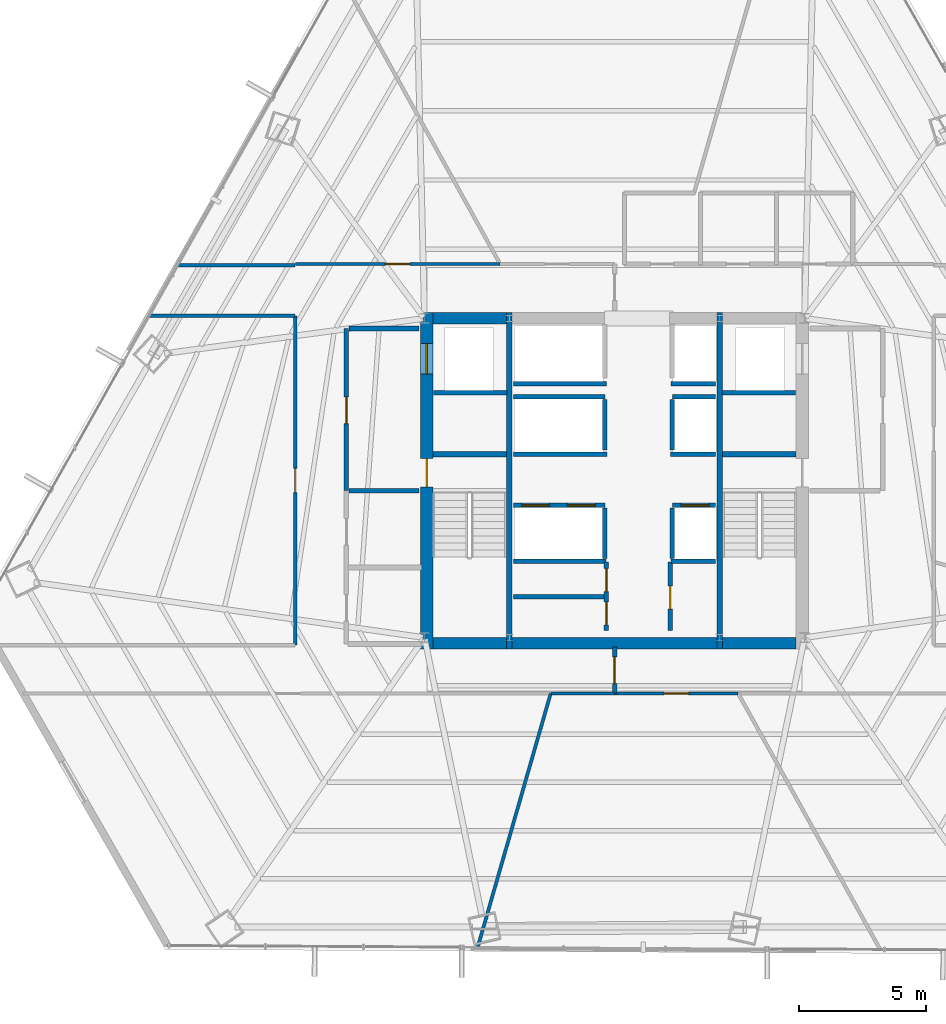
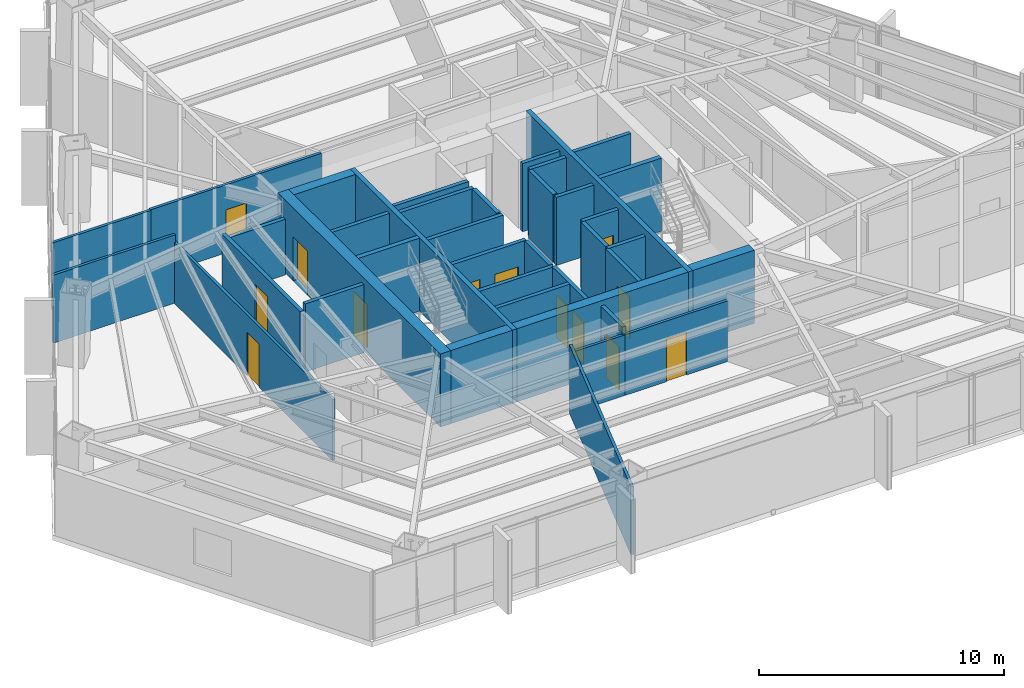
# One storey, part 31 of 36: 39 walls, 13 doors, 13 openings.
"""IFC4 building model written with IfcOpenShell, lengths in metres."""

from ifc_helpers import new_model, si_unit, direction, frame, frame_2d, origin, place, context, subcontext, project, spatial, rectangle, extrude, material, layer, layer_set, type_object, element, fill, save


model = new_model("IFC4")

# Units and contexts
model_context = context("Model", 3, precision=1e-05, world=origin(), true_north=direction((0.0, 1.0)))
body_context = subcontext(model_context, "Body", "Model", "MODEL_VIEW")
ifc_project = project(units=[si_unit("LENGTHUNIT", "METRE"), si_unit("AREAUNIT", "SQUARE_METRE"), si_unit("VOLUMEUNIT", "CUBIC_METRE"), si_unit("PLANEANGLEUNIT", "RADIAN"), si_unit("MASSUNIT", "GRAM", prefix="KILO")], contexts=[model_context])

# Site, building, storey
site_placement = place(None, origin())
site = spatial("IfcSite", under=ifc_project, at=site_placement, CompositionType="ELEMENT")
building_placement = place(site_placement, origin())
building = spatial("IfcBuilding", under=site, at=building_placement, Name="Caelisora Broadcast Tower", CompositionType="ELEMENT")
storey_placement = place(building_placement, frame((0.0, 0.0, 83.5)))
storey = spatial("IfcBuildingStorey", under=building, at=storey_placement, Name="L21", CompositionType="ELEMENT", Elevation=83.5)

# Wall, openings, doors
ifc_material_1 = material(Name="Concrete 50 MPa (AS 3600 S50)", Category="concrete")
ifc_layer_1 = layer(ifc_material_1, 0.5, Name="Concrete 50 MPa (AS 3600 S50)")
ifc_layer_set_1 = layer_set([ifc_layer_1], Name="Concrete 50 MPa (AS 3600 S50)")
wall_type_1 = type_object("IfcWallType", Name="CW2", PredefinedType="SHEAR", material=ifc_layer_set_1)
wall_1_placement = place(storey_placement, frame((30.590087890625, 16.949951171875, 0.0), z_axis=(0.0, 0.0, 1.0), x_axis=(0.0, 1.0, 0.0)))
wall_1 = element("IfcWall", 1, at=wall_1_placement, inside=storey, type_object=wall_type_1, Name="L21 core shear wall CW2", PredefinedType="SHEAR", context=body_context, shape_type="SweptSolid", body=[
    extrude(rectangle(XDim=13.275146484375, YDim=0.5, at=frame_2d((6.6376953125, 0.0))), origin(), (0.0, 0.0, 1.0), 3.64990234375),
])
opening_1_placement = place(wall_1_placement, frame((6.39990234375, 0.0, 0.0)))
opening_1 = element("IfcOpeningElement", 2, at=opening_1_placement, cuts=wall_1, Name="Opening FD04", PredefinedType="OPENING", context=body_context, shape_type="SweptSolid", body=[
    extrude(rectangle(XDim=1.1201171875, YDim=2.14990234375, at=frame_2d((0.56005859375, 1.074951171875))), frame((0.0, 0.261962890625, 0.0), z_axis=(0.0, -1.0, 0.0), x_axis=(1.0, 0.0, 0.0)), (0.0, 0.0, 1.0), 0.52392578125),
])
opening_2_placement = place(wall_1_placement, frame((10.85009765625, 0.0, 0.0)))
opening_2 = element("IfcOpeningElement", 3, at=opening_2_placement, cuts=wall_1, Name="Opening LD04", PredefinedType="OPENING", context=body_context, shape_type="SweptSolid", body=[
    extrude(rectangle(XDim=1.199951171875, YDim=2.199951171875, at=frame_2d((0.60009765625, 1.10009765625))), frame((0.0, 0.261962890625, 0.0), z_axis=(0.0, -1.0, 0.0), x_axis=(1.0, 0.0, 0.0)), (0.0, 0.0, 1.0), 0.52392578125),
])
ifc_material_2 = material(Name="Pressurised Fire-Isolated Stair Door", Category="steel")
door_type_1 = type_object("IfcDoorType", Name="FD04", OperationType="NOTDEFINED", PredefinedType="DOOR", material=ifc_material_2)
door_1_placement = place(opening_1_placement, origin())
door_1 = element("IfcDoor", 4, at=door_1_placement, inside=storey, type_object=door_type_1, Name="L21 door FD04 (L21-DR-ST1)", OperationType="SINGLE_SWING_LEFT", OverallHeight=2.14990234375, OverallWidth=1.1201171875, PredefinedType="DOOR", context=body_context, shape_type="SweptSolid", body=[
    extrude(rectangle(XDim=1.1201171875, YDim=2.14990234375, at=frame_2d((0.56005859375, 1.074951171875))), frame((0.0, 0.02490234375, 0.0), z_axis=(0.0, -1.0, 0.0), x_axis=(1.0, 0.0, 0.0)), (0.0, 0.0, 1.0), 0.050048828125),
])
fill(opening_1, door_1)
ifc_material_3 = material(Name="Emergency Firefighting Lift Sliding Landing Door", Category="steel")
door_type_2 = type_object("IfcDoorType", Name="LD04", OperationType="NOTDEFINED", PredefinedType="DOOR", material=ifc_material_3)
door_2_placement = place(opening_2_placement, origin())
door_2 = element("IfcDoor", 5, at=door_2_placement, inside=storey, type_object=door_type_2, Name="L21 door LD04 (L21-LD-FFL1)", OperationType="SLIDING_TO_LEFT", OverallHeight=2.199951171875, OverallWidth=1.199951171875, PredefinedType="DOOR", context=body_context, shape_type="SweptSolid", body=[
    extrude(rectangle(XDim=1.199951171875, YDim=2.199951171875, at=frame_2d((0.60009765625, 1.10009765625))), frame((0.0, 0.02490234375, 0.0), z_axis=(0.0, -1.0, 0.0), x_axis=(1.0, 0.0, 0.0)), (0.0, 0.0, 1.0), 0.050048828125),
])
fill(opening_2, door_2)

# Walls
ifc_layer_2 = layer(ifc_material_1, 0.449951171875, Name="Concrete 50 MPa (AS 3600 S50)")
ifc_layer_set_2 = layer_set([ifc_layer_2], Name="Concrete 50 MPa (AS 3600 S50)")
wall_type_2 = type_object("IfcWallType", Name="CW5", PredefinedType="SHEAR", material=ifc_layer_set_2)
wall_2_placement = place(storey_placement, frame((30.840087890625, 17.175048828125, 0.0), z_axis=(0.0, 0.0, 1.0), x_axis=(1.0, 0.0, 0.0)))
element("IfcWall", 6, at=wall_2_placement, inside=storey, type_object=wall_type_2, Name="L21 core shear wall CW5", PredefinedType="SHEAR", context=body_context, shape_type="SweptSolid", body=[
    extrude(rectangle(XDim=2.89990234375, YDim=0.449951171875, at=frame_2d((1.449951171875, 0.0))), origin(), (0.0, 0.0, 1.0), 3.64990234375),
])
wall_3_placement = place(storey_placement, frame((33.9599609375, 17.175048828125, 0.0), z_axis=(0.0, 0.0, 1.0), x_axis=(1.0, 0.0, 0.0)))
element("IfcWall", 7, at=wall_3_placement, inside=storey, type_object=wall_type_2, Name="L21 core shear wall CW5", PredefinedType="SHEAR", context=body_context, shape_type="SweptSolid", body=[
    extrude(rectangle(XDim=8.080078125, YDim=0.449951171875, at=frame_2d((4.0400390625, 0.0))), origin(), (0.0, 0.0, 1.0), 3.64990234375),
])
for number, where, z_axis, x_axis, name in (
    (8, (42.260009765625, 17.175048828125, 0.0), (0.0, 0.0, 1.0), (1.0, 0.0, 0.0), "L21 core shear wall CW5"),
    (9, (30.840087890625, 30.0, 0.0), (0.0, 0.0, 1.0), (1.0, 0.0, 0.0), "L21 core shear wall CW5"),
):
    element("IfcWall", number, at=place(storey_placement, frame(where, z_axis=z_axis, x_axis=x_axis)), inside=storey, type_object=wall_type_2, Name=name, PredefinedType="SHEAR", context=body_context, shape_type="SweptSolid", body=[
        extrude(rectangle(XDim=2.89990234375, YDim=0.449951171875, at=frame_2d((1.449951171875, 0.0))), origin(), (0.0, 0.0, 1.0), 3.64990234375),
    ])
ifc_layer_3 = layer(ifc_material_1, 0.219970703125, Name="Concrete 50 MPa (AS 3600 S50)")
ifc_layer_set_3 = layer_set([ifc_layer_3], Name="Concrete 50 MPa (AS 3600 S50)")
wall_type_3 = type_object("IfcWallType", Name="CW7", PredefinedType="SHEAR", material=ifc_layer_set_3)
for number, where, z_axis, x_axis, name in (
    (10, (33.85009765625, 16.949951171875, 0.0), (0.0, 0.0, 1.0), (0.0, 1.0, 0.0), "L21 core shear wall CW7"),
    (11, (42.14990234375, 16.949951171875, 0.0), (0.0, 0.0, 1.0), (0.0, 1.0, 0.0), "L21 core shear wall CW7"),
):
    element("IfcWall", number, at=place(storey_placement, frame(where, z_axis=z_axis, x_axis=x_axis)), inside=storey, type_object=wall_type_3, Name=name, PredefinedType="SHEAR", context=body_context, shape_type="SweptSolid", body=[
        extrude(rectangle(XDim=13.275146484375, YDim=0.219970703125, at=frame_2d((6.6376953125, 0.0))), origin(), (0.0, 0.0, 1.0), 3.64990234375),
    ])
for number, where, z_axis, x_axis, name in (
    (12, (30.840087890625, 24.639892578125, 0.0), (0.0, 0.0, 1.0), (1.0, 0.0, 0.0), "L21 core shear wall CW7"),
    (13, (42.260009765625, 24.639892578125, 0.0), (0.0, 0.0, 1.0), (1.0, 0.0, 0.0), "L21 core shear wall CW7"),
):
    element("IfcWall", number, at=place(storey_placement, frame(where, z_axis=z_axis, x_axis=x_axis)), inside=storey, type_object=wall_type_3, Name=name, PredefinedType="SHEAR", context=body_context, shape_type="SweptSolid", body=[
        extrude(rectangle(XDim=2.89990234375, YDim=0.219970703125, at=frame_2d((1.449951171875, 0.0))), origin(), (0.0, 0.0, 1.0), 3.64990234375),
    ])

# Wall, openings, doors
ifc_material_4 = material(Name="Fire-Rated Gypsum Shaft and Compartment Wall", Category="gypsum")
ifc_layer_4 = layer(ifc_material_4, 0.179931640625, Name="Fire-Rated Gypsum Shaft and Compartment Wall")
ifc_layer_set_4 = layer_set([ifc_layer_4], Name="Fire-Rated Gypsum Shaft and Compartment Wall")
wall_type_4 = type_object("IfcWallType", Name="PW2", PredefinedType="PARTITIONING", material=ifc_layer_set_4)
wall_4_placement = place(storey_placement, frame((34.02001953125, 22.6201171875, 0.0), z_axis=(0.0, 0.0, 1.0), x_axis=(1.0, 0.0, 0.0)))
wall_4 = element("IfcWall", 14, at=wall_4_placement, inside=storey, type_object=wall_type_4, Name="L21 fire compartment wall PW2", PredefinedType="PARTITIONING", context=body_context, shape_type="SweptSolid", body=[
    extrude(rectangle(XDim=3.60009765625, YDim=0.179931640625, at=frame_2d((1.800048828125, 0.0))), origin(), (0.0, 0.0, 1.0), 3.39990234375),
])
opening_3_placement = place(wall_4_placement, frame((0.320068359375, 0.0, 0.0)))
opening_3 = element("IfcOpeningElement", 15, at=opening_3_placement, cuts=wall_4, Name="Opening LD01", PredefinedType="OPENING", context=body_context, shape_type="SweptSolid", body=[
    extrude(rectangle(XDim=1.10009765625, YDim=2.199951171875, at=frame_2d((0.550048828125, 1.10009765625))), frame((0.0, 0.10205078125, 0.0), z_axis=(0.0, -1.0, 0.0), x_axis=(1.0, 0.0, 0.0)), (0.0, 0.0, 1.0), 0.203857421875),
])
opening_4_placement = place(wall_4_placement, frame((2.1201171875, 0.0, 0.0)))
opening_4 = element("IfcOpeningElement", 16, at=opening_4_placement, cuts=wall_4, Name="Opening LD01", PredefinedType="OPENING", context=body_context, shape_type="SweptSolid", body=[
    extrude(rectangle(XDim=1.10009765625, YDim=2.199951171875, at=frame_2d((0.550048828125, 1.10009765625))), frame((0.0, 0.10205078125, 0.0), z_axis=(0.0, -1.0, 0.0), x_axis=(1.0, 0.0, 0.0)), (0.0, 0.0, 1.0), 0.203857421875),
])
ifc_material_5 = material(Name="Stainless Steel Centre-Parting Lift Landing Door", Category="steel")
door_type_3 = type_object("IfcDoorType", Name="LD01", OperationType="NOTDEFINED", PredefinedType="DOOR", material=ifc_material_5)
door_3_placement = place(opening_3_placement, origin())
door_3 = element("IfcDoor", 17, at=door_3_placement, inside=storey, type_object=door_type_3, Name="L21 door LD01 (L21-LD-PLL1)", OperationType="SLIDING_TO_LEFT", OverallHeight=2.199951171875, OverallWidth=1.10009765625, PredefinedType="DOOR", context=body_context, shape_type="SweptSolid", body=[
    extrude(rectangle(XDim=1.10009765625, YDim=2.199951171875, at=frame_2d((0.550048828125, 1.10009765625))), frame((0.0, 0.02490234375, 0.0), z_axis=(0.0, -1.0, 0.0), x_axis=(1.0, 0.0, 0.0)), (0.0, 0.0, 1.0), 0.050048828125),
])
fill(opening_3, door_3)
door_4_placement = place(opening_4_placement, origin())
door_4 = element("IfcDoor", 18, at=door_4_placement, inside=storey, type_object=door_type_3, Name="L21 door LD01 (L21-LD-PLL2)", OperationType="SLIDING_TO_RIGHT", OverallHeight=2.199951171875, OverallWidth=1.10009765625, PredefinedType="DOOR", context=body_context, shape_type="SweptSolid", body=[
    extrude(rectangle(XDim=1.10009765625, YDim=2.199951171875, at=frame_2d((0.550048828125, 1.10009765625))), frame((0.0, 0.02490234375, 0.0), z_axis=(0.0, -1.0, 0.0), x_axis=(1.0, 0.0, 0.0)), (0.0, 0.0, 1.0), 0.050048828125),
])
fill(opening_4, door_4)

# Wall, opening, door
wall_5_placement = place(storey_placement, frame((40.280029296875, 22.6201171875, 0.0), z_axis=(0.0, 0.0, 1.0), x_axis=(1.0, 0.0, 0.0)))
wall_5 = element("IfcWall", 19, at=wall_5_placement, inside=storey, type_object=wall_type_4, Name="L21 fire compartment wall PW2", PredefinedType="PARTITIONING", context=body_context, shape_type="SweptSolid", body=[
    extrude(rectangle(XDim=1.699951171875, YDim=0.179931640625, at=frame_2d((0.85009765625, 0.0))), origin(), (0.0, 0.0, 1.0), 3.39990234375),
])
opening_5_placement = place(wall_5_placement, frame((0.35009765625, 0.0, 0.0)))
opening_5 = element("IfcOpeningElement", 20, at=opening_5_placement, cuts=wall_5, Name="Opening LD01", PredefinedType="OPENING", context=body_context, shape_type="SweptSolid", body=[
    extrude(rectangle(XDim=1.10009765625, YDim=2.199951171875, at=frame_2d((0.550048828125, 1.10009765625))), frame((0.0, 0.10205078125, 0.0), z_axis=(0.0, -1.0, 0.0), x_axis=(1.0, 0.0, 0.0)), (0.0, 0.0, 1.0), 0.203857421875),
])
door_5_placement = place(opening_5_placement, origin())
door_5 = element("IfcDoor", 21, at=door_5_placement, inside=storey, type_object=door_type_3, Name="L21 door LD01 (L21-LD-PLL3)", OperationType="SLIDING_TO_LEFT", OverallHeight=2.199951171875, OverallWidth=1.10009765625, PredefinedType="DOOR", context=body_context, shape_type="SweptSolid", body=[
    extrude(rectangle(XDim=1.10009765625, YDim=2.199951171875, at=frame_2d((0.550048828125, 1.10009765625))), frame((0.0, 0.02490234375, 0.0), z_axis=(0.0, -1.0, 0.0), x_axis=(1.0, 0.0, 0.0)), (0.0, 0.0, 1.0), 0.050048828125),
])
fill(opening_5, door_5)

# Walls
for number, where, z_axis, x_axis, name in (
    (22, (37.6201171875, 20.52001953125, 0.0), (0.0, 0.0, 1.0), (0.0, 1.0, 0.0), "L21 fire compartment wall PW2"),
    (23, (40.280029296875, 20.52001953125, 0.0), (0.0, 0.0, 1.0), (0.0, 1.0, 0.0), "L21 fire compartment wall PW2"),
):
    element("IfcWall", number, at=place(storey_placement, frame(where, z_axis=z_axis, x_axis=x_axis)), inside=storey, type_object=wall_type_4, Name=name, PredefinedType="PARTITIONING", context=body_context, shape_type="SweptSolid", body=[
        extrude(rectangle(XDim=2.0, YDim=0.179931640625, at=frame_2d((1.0, 0.0))), origin(), (0.0, 0.0, 1.0), 3.39990234375),
    ])
wall_6_placement = place(storey_placement, frame((34.02001953125, 26.89990234375, 0.0), z_axis=(0.0, 0.0, 1.0), x_axis=(1.0, 0.0, 0.0)))
element("IfcWall", 24, at=wall_6_placement, inside=storey, type_object=wall_type_4, Name="L21 fire compartment wall PW2", PredefinedType="PARTITIONING", context=body_context, shape_type="SweptSolid", body=[
    extrude(rectangle(XDim=3.60009765625, YDim=0.179931640625, at=frame_2d((1.800048828125, 0.0))), origin(), (0.0, 0.0, 1.0), 3.39990234375),
])
wall_7_placement = place(storey_placement, frame((40.280029296875, 26.89990234375, 0.0), z_axis=(0.0, 0.0, 1.0), x_axis=(1.0, 0.0, 0.0)))
element("IfcWall", 25, at=wall_7_placement, inside=storey, type_object=wall_type_4, Name="L21 fire compartment wall PW2", PredefinedType="PARTITIONING", context=body_context, shape_type="SweptSolid", body=[
    extrude(rectangle(XDim=1.699951171875, YDim=0.179931640625, at=frame_2d((0.85009765625, 0.0))), origin(), (0.0, 0.0, 1.0), 3.39990234375),
])
for number, where, z_axis, x_axis, name in (
    (26, (37.6201171875, 24.800048828125, 0.0), (0.0, 0.0, 1.0), (0.0, 1.0, 0.0), "L21 fire compartment wall PW2"),
    (27, (40.280029296875, 24.800048828125, 0.0), (0.0, 0.0, 1.0), (0.0, 1.0, 0.0), "L21 fire compartment wall PW2"),
):
    element("IfcWall", number, at=place(storey_placement, frame(where, z_axis=z_axis, x_axis=x_axis)), inside=storey, type_object=wall_type_4, Name=name, PredefinedType="PARTITIONING", context=body_context, shape_type="SweptSolid", body=[
        extrude(rectangle(XDim=2.0, YDim=0.179931640625, at=frame_2d((1.0, 0.0))), origin(), (0.0, 0.0, 1.0), 3.39990234375),
    ])
wall_8_placement = place(storey_placement, frame((34.02001953125, 24.639892578125, 0.0), z_axis=(0.0, 0.0, 1.0), x_axis=(1.0, 0.0, 0.0)))
element("IfcWall", 28, at=wall_8_placement, inside=storey, type_object=wall_type_4, Name="L21 fire compartment wall PW2", PredefinedType="PARTITIONING", context=body_context, shape_type="SweptSolid", body=[
    extrude(rectangle(XDim=3.679931640625, YDim=0.179931640625, at=frame_2d((1.83984375, 0.0))), origin(), (0.0, 0.0, 1.0), 3.39990234375),
])
wall_9_placement = place(storey_placement, frame((40.199951171875, 24.639892578125, 0.0), z_axis=(0.0, 0.0, 1.0), x_axis=(1.0, 0.0, 0.0)))
element("IfcWall", 29, at=wall_9_placement, inside=storey, type_object=wall_type_4, Name="L21 fire compartment wall PW2", PredefinedType="PARTITIONING", context=body_context, shape_type="SweptSolid", body=[
    extrude(rectangle(XDim=1.780029296875, YDim=0.179931640625, at=frame_2d((0.89013671875, 0.0))), origin(), (0.0, 0.0, 1.0), 3.39990234375),
])
wall_10_placement = place(storey_placement, frame((34.02001953125, 27.419921875, 0.0), z_axis=(0.0, 0.0, 1.0), x_axis=(1.0, 0.0, 0.0)))
element("IfcWall", 30, at=wall_10_placement, inside=storey, type_object=wall_type_4, Name="L21 fire compartment wall PW2", PredefinedType="PARTITIONING", context=body_context, shape_type="SweptSolid", body=[
    extrude(rectangle(XDim=3.659912109375, YDim=0.179931640625, at=frame_2d((1.830078125, 0.0))), origin(), (0.0, 0.0, 1.0), 3.39990234375),
])
wall_11_placement = place(storey_placement, frame((40.219970703125, 27.419921875, 0.0), z_axis=(0.0, 0.0, 1.0), x_axis=(1.0, 0.0, 0.0)))
element("IfcWall", 31, at=wall_11_placement, inside=storey, type_object=wall_type_4, Name="L21 fire compartment wall PW2", PredefinedType="PARTITIONING", context=body_context, shape_type="SweptSolid", body=[
    extrude(rectangle(XDim=1.760009765625, YDim=0.179931640625, at=frame_2d((0.8798828125, 0.0))), origin(), (0.0, 0.0, 1.0), 3.39990234375),
])

# Wall, opening, door
wall_12_placement = place(storey_placement, frame((27.419921875, 23.199951171875, 0.0), z_axis=(0.0, 0.0, 1.0), x_axis=(0.0, 1.0, 0.0)))
wall_12 = element("IfcWall", 32, at=wall_12_placement, inside=storey, type_object=wall_type_4, Name="L21 fire compartment wall PW2", PredefinedType="PARTITIONING", context=body_context, shape_type="SweptSolid", body=[
    extrude(rectangle(XDim=6.400146484375, YDim=0.179931640625, at=frame_2d((3.2001953125, 0.0))), origin(), (0.0, 0.0, 1.0), 3.0263671875),
])
opening_6_placement = place(wall_12_placement, frame((2.64990234375, 0.0, 0.0)))
opening_6 = element("IfcOpeningElement", 33, at=opening_6_placement, cuts=wall_12, Name="Opening FD02", PredefinedType="OPENING", context=body_context, shape_type="SweptSolid", body=[
    extrude(rectangle(XDim=1.050048828125, YDim=2.14990234375, at=frame_2d((0.52490234375, 1.074951171875))), frame((0.0, 0.10205078125, 0.0), z_axis=(0.0, -1.0, 0.0), x_axis=(1.0, 0.0, 0.0)), (0.0, 0.0, 1.0), 0.203857421875),
])
ifc_material_6 = material(Name="Single-Leaf Steel Fire Lobby Door", Category="steel")
door_type_4 = type_object("IfcDoorType", Name="FD02", OperationType="NOTDEFINED", PredefinedType="DOOR", material=ifc_material_6)
door_6_placement = place(opening_6_placement, origin())
door_6 = element("IfcDoor", 34, at=door_6_placement, inside=storey, type_object=door_type_4, Name="L21 door FD02 (L21-DR-P01D1)", OperationType="SINGLE_SWING_RIGHT", OverallHeight=2.14990234375, OverallWidth=1.050048828125, PredefinedType="DOOR", context=body_context, shape_type="SweptSolid", body=[
    extrude(rectangle(XDim=1.050048828125, YDim=2.14990234375, at=frame_2d((0.52490234375, 1.074951171875))), frame((0.0, 0.02490234375, 0.0), z_axis=(0.0, -1.0, 0.0), x_axis=(1.0, 0.0, 0.0)), (0.0, 0.0, 1.0), 0.050048828125),
])
fill(opening_6, door_6)

# Walls
wall_13_placement = place(storey_placement, frame((27.52001953125, 23.199951171875, 0.0), z_axis=(0.0, 0.0, 1.0), x_axis=(1.0, 0.0, 0.0)))
element("IfcWall", 35, at=wall_13_placement, inside=storey, type_object=wall_type_4, Name="L21 fire compartment wall PW2", PredefinedType="PARTITIONING", context=body_context, shape_type="SweptSolid", body=[
    extrude(rectangle(XDim=2.760009765625, YDim=0.179931640625, at=frame_2d((1.3798828125, 0.0))), origin(), (0.0, 0.0, 1.0), 3.39990234375),
])
wall_14_placement = place(storey_placement, frame((27.52001953125, 29.60009765625, 0.0), z_axis=(0.0, 0.0, 1.0), x_axis=(1.0, 0.0, 0.0)))
element("IfcWall", 36, at=wall_14_placement, inside=storey, type_object=wall_type_4, Name="L21 fire compartment wall PW2", PredefinedType="PARTITIONING", context=body_context, shape_type="SweptSolid", body=[
    extrude(rectangle(XDim=2.760009765625, YDim=0.179931640625, at=frame_2d((1.3798828125, 0.0))), origin(), (0.0, 0.0, 1.0), 2.78271484375),
])
for number, where, z_axis, x_axis, name in (
    (37, (30.860107421875, 27.070068359375, 0.0), (0.0, 0.0, 1.0), (1.0, 0.0, 0.0), "L21 fire compartment wall PW2"),
    (38, (42.239990234375, 27.070068359375, 0.0), (0.0, 0.0, 1.0), (1.0, 0.0, 0.0), "L21 fire compartment wall PW2"),
):
    element("IfcWall", number, at=place(storey_placement, frame(where, z_axis=z_axis, x_axis=x_axis)), inside=storey, type_object=wall_type_4, Name=name, PredefinedType="PARTITIONING", context=body_context, shape_type="SweptSolid", body=[
        extrude(rectangle(XDim=2.89990234375, YDim=0.179931640625, at=frame_2d((1.449951171875, 0.0))), origin(), (0.0, 0.0, 1.0), 3.39990234375),
    ])
wall_15_placement = place(storey_placement, frame((34.02001953125, 20.419921875, 0.0), z_axis=(0.0, 0.0, 1.0), x_axis=(1.0, 0.0, 0.0)))
element("IfcWall", 39, at=wall_15_placement, inside=storey, type_object=wall_type_4, Name="L21 fire compartment wall PW2", PredefinedType="PARTITIONING", context=body_context, shape_type="SweptSolid", body=[
    extrude(rectangle(XDim=3.639892578125, YDim=0.179931640625, at=frame_2d((1.81982421875, 0.0))), origin(), (0.0, 0.0, 1.0), 3.39990234375),
])
wall_16_placement = place(storey_placement, frame((40.219970703125, 20.419921875, 0.0), z_axis=(0.0, 0.0, 1.0), x_axis=(1.0, 0.0, 0.0)))
element("IfcWall", 40, at=wall_16_placement, inside=storey, type_object=wall_type_4, Name="L21 fire compartment wall PW2", PredefinedType="PARTITIONING", context=body_context, shape_type="SweptSolid", body=[
    extrude(rectangle(XDim=1.760009765625, YDim=0.179931640625, at=frame_2d((0.8798828125, 0.0))), origin(), (0.0, 0.0, 1.0), 3.39990234375),
])
wall_17_placement = place(storey_placement, frame((34.02001953125, 19.02001953125, 0.0), z_axis=(0.0, 0.0, 1.0), x_axis=(1.0, 0.0, 0.0)))
element("IfcWall", 41, at=wall_17_placement, inside=storey, type_object=wall_type_4, Name="L21 fire compartment wall PW2", PredefinedType="PARTITIONING", context=body_context, shape_type="SweptSolid", body=[
    extrude(rectangle(XDim=3.580078125, YDim=0.179931640625, at=frame_2d((1.7900390625, 0.0))), origin(), (0.0, 0.0, 1.0), 3.39990234375),
])

# Wall, openings, doors
wall_18_placement = place(storey_placement, frame((37.679931640625, 17.679931640625, 0.0), z_axis=(0.0, 0.0, 1.0), x_axis=(0.0, 1.0, 0.0)))
wall_18 = element("IfcWall", 42, at=wall_18_placement, inside=storey, type_object=wall_type_4, Name="L21 fire compartment wall PW2", PredefinedType="PARTITIONING", context=body_context, shape_type="SweptSolid", body=[
    extrude(rectangle(XDim=2.699951171875, YDim=0.179931640625, at=frame_2d((1.35009765625, 0.0))), origin(), (0.0, 0.0, 1.0), 3.39990234375),
])
opening_7_placement = place(wall_18_placement, frame((0.219970703125, 0.0, 0.0)))
opening_7 = element("IfcOpeningElement", 43, at=opening_7_placement, cuts=wall_18, Name="Opening FD03", PredefinedType="OPENING", context=body_context, shape_type="SweptSolid", body=[
    extrude(rectangle(XDim=0.89990234375, YDim=2.10009765625, at=frame_2d((0.449951171875, 1.050048828125))), frame((0.0, 0.10205078125, 0.0), z_axis=(0.0, -1.0, 0.0), x_axis=(1.0, 0.0, 0.0)), (0.0, 0.0, 1.0), 0.203857421875),
])
opening_8_placement = place(wall_18_placement, frame((1.5400390625, 0.0, 0.0)))
opening_8 = element("IfcOpeningElement", 44, at=opening_8_placement, cuts=wall_18, Name="Opening FD03", PredefinedType="OPENING", context=body_context, shape_type="SweptSolid", body=[
    extrude(rectangle(XDim=0.89990234375, YDim=2.10009765625, at=frame_2d((0.449951171875, 1.050048828125))), frame((0.0, 0.10205078125, 0.0), z_axis=(0.0, -1.0, 0.0), x_axis=(1.0, 0.0, 0.0)), (0.0, 0.0, 1.0), 0.203857421875),
])
ifc_material_7 = material(Name="Single-Leaf Steel Riser Fire Access Door", Category="steel")
door_type_5 = type_object("IfcDoorType", Name="FD03", OperationType="NOTDEFINED", PredefinedType="DOOR", material=ifc_material_7)
door_7_placement = place(opening_7_placement, origin())
door_7 = element("IfcDoor", 45, at=door_7_placement, inside=storey, type_object=door_type_5, Name="L21 door FD03 (L21-DR-P12D1)", OperationType="SINGLE_SWING_RIGHT", OverallHeight=2.10009765625, OverallWidth=0.89990234375, PredefinedType="DOOR", context=body_context, shape_type="SweptSolid", body=[
    extrude(rectangle(XDim=0.89990234375, YDim=2.10009765625, at=frame_2d((0.449951171875, 1.050048828125))), frame((0.0, 0.02490234375, 0.0), z_axis=(0.0, -1.0, 0.0), x_axis=(1.0, 0.0, 0.0)), (0.0, 0.0, 1.0), 0.050048828125),
])
fill(opening_7, door_7)
door_8_placement = place(opening_8_placement, origin())
door_8 = element("IfcDoor", 46, at=door_8_placement, inside=storey, type_object=door_type_5, Name="L21 door FD03 (L21-DR-P12D2)", OperationType="SINGLE_SWING_LEFT", OverallHeight=2.10009765625, OverallWidth=0.89990234375, PredefinedType="DOOR", context=body_context, shape_type="SweptSolid", body=[
    extrude(rectangle(XDim=0.89990234375, YDim=2.10009765625, at=frame_2d((0.449951171875, 1.050048828125))), frame((0.0, 0.02490234375, 0.0), z_axis=(0.0, -1.0, 0.0), x_axis=(1.0, 0.0, 0.0)), (0.0, 0.0, 1.0), 0.050048828125),
])
fill(opening_8, door_8)

# Wall, opening, door
wall_19_placement = place(storey_placement, frame((40.199951171875, 17.679931640625, 0.0), z_axis=(0.0, 0.0, 1.0), x_axis=(0.0, 1.0, 0.0)))
wall_19 = element("IfcWall", 47, at=wall_19_placement, inside=storey, type_object=wall_type_4, Name="L21 fire compartment wall PW2", PredefinedType="PARTITIONING", context=body_context, shape_type="SweptSolid", body=[
    extrude(rectangle(XDim=2.699951171875, YDim=0.179931640625, at=frame_2d((1.35009765625, 0.0))), origin(), (0.0, 0.0, 1.0), 3.39990234375),
])
opening_9_placement = place(wall_19_placement, frame((0.85009765625, 0.0, 0.0)))
opening_9 = element("IfcOpeningElement", 48, at=opening_9_placement, cuts=wall_19, Name="Opening FD03", PredefinedType="OPENING", context=body_context, shape_type="SweptSolid", body=[
    extrude(rectangle(XDim=0.89990234375, YDim=2.10009765625, at=frame_2d((0.449951171875, 1.050048828125))), frame((0.0, 0.10205078125, 0.0), z_axis=(0.0, -1.0, 0.0), x_axis=(1.0, 0.0, 0.0)), (0.0, 0.0, 1.0), 0.203857421875),
])
door_9_placement = place(opening_9_placement, origin())
door_9 = element("IfcDoor", 49, at=door_9_placement, inside=storey, type_object=door_type_5, Name="L21 door FD03 (L21-DR-P13D1)", OperationType="SINGLE_SWING_RIGHT", OverallHeight=2.10009765625, OverallWidth=0.89990234375, PredefinedType="DOOR", context=body_context, shape_type="SweptSolid", body=[
    extrude(rectangle(XDim=0.89990234375, YDim=2.10009765625, at=frame_2d((0.449951171875, 1.050048828125))), frame((0.0, 0.02490234375, 0.0), z_axis=(0.0, -1.0, 0.0), x_axis=(1.0, 0.0, 0.0)), (0.0, 0.0, 1.0), 0.050048828125),
])
fill(opening_9, door_9)

wall_20_placement = place(storey_placement, frame((38.0, 15.205078125, 0.0), z_axis=(0.0, 0.0, 1.0), x_axis=(0.0, 1.0, 0.0)))
wall_20 = element("IfcWall", 50, at=wall_20_placement, inside=storey, type_object=wall_type_4, Name="L21 fire compartment wall PW2", PredefinedType="PARTITIONING", context=body_context, shape_type="SweptSolid", body=[
    extrude(rectangle(XDim=1.81982421875, YDim=0.179931640625, at=frame_2d((0.909912109375, 0.0))), origin(), (0.0, 0.0, 1.0), 3.39990234375),
])
opening_10_placement = place(wall_20_placement, frame((0.385009765625, 0.0, 0.0)))
opening_10 = element("IfcOpeningElement", 51, at=opening_10_placement, cuts=wall_20, Name="Opening FD02", PredefinedType="OPENING", context=body_context, shape_type="SweptSolid", body=[
    extrude(rectangle(XDim=1.050048828125, YDim=2.14990234375, at=frame_2d((0.52490234375, 1.074951171875))), frame((0.0, 0.10205078125, 0.0), z_axis=(0.0, -1.0, 0.0), x_axis=(1.0, 0.0, 0.0)), (0.0, 0.0, 1.0), 0.203857421875),
])
door_10_placement = place(opening_10_placement, origin())
door_10 = element("IfcDoor", 52, at=door_10_placement, inside=storey, type_object=door_type_4, Name="L21 door FD02 (L21-DR-P49D1)", OperationType="SINGLE_SWING_LEFT", OverallHeight=2.14990234375, OverallWidth=1.050048828125, PredefinedType="DOOR", context=body_context, shape_type="SweptSolid", body=[
    extrude(rectangle(XDim=1.050048828125, YDim=2.14990234375, at=frame_2d((0.52490234375, 1.074951171875))), frame((0.0, 0.02490234375, 0.0), z_axis=(0.0, -1.0, 0.0), x_axis=(1.0, 0.0, 0.0)), (0.0, 0.0, 1.0), 0.050048828125),
])
fill(opening_10, door_10)

ifc_material_8 = material(Name="Acoustic Steel-Stud Plasterboard Partition", Category="gypsum")
ifc_layer_5 = layer(ifc_material_8, 0.1298828125, Name="Acoustic Steel-Stud Plasterboard Partition")
ifc_layer_set_5 = layer_set([ifc_layer_5], Name="Acoustic Steel-Stud Plasterboard Partition")
wall_type_5 = type_object("IfcWallType", Name="PW3", PredefinedType="PARTITIONING", material=ifc_layer_set_5)
wall_21_placement = place(storey_placement, frame((25.39990234375, 17.10498046875, 0.0), z_axis=(0.0, 0.0, 1.0), x_axis=(0.0, 1.0, 0.0)))
wall_21 = element("IfcWall", 53, at=wall_21_placement, inside=storey, type_object=wall_type_5, Name="L21 internal partition PW3", PredefinedType="PARTITIONING", context=body_context, shape_type="SweptSolid", body=[
    extrude(rectangle(XDim=12.989990234375, YDim=0.1298828125, at=frame_2d((6.4951171875, 0.0))), origin(), (0.0, 0.0, 1.0), 3.0263671875),
])
opening_11_placement = place(wall_21_placement, frame((6.014892578125, 0.0, 0.0)))
opening_11 = element("IfcOpeningElement", 54, at=opening_11_placement, cuts=wall_21, Name="Opening D01", PredefinedType="OPENING", context=body_context, shape_type="SweptSolid", body=[
    extrude(rectangle(XDim=0.9599609375, YDim=2.14990234375, at=frame_2d((0.47998046875, 1.074951171875))), frame((0.0, 0.076904296875, 0.0), z_axis=(0.0, -1.0, 0.0), x_axis=(1.0, 0.0, 0.0)), (0.0, 0.0, 1.0), 0.15380859375),
])
ifc_material_9 = material(Name="Solid-Core Timber Acoustic Office Door", Category="wood")
door_type_6 = type_object("IfcDoorType", Name="D01", OperationType="NOTDEFINED", PredefinedType="DOOR", material=ifc_material_9)
door_11_placement = place(opening_11_placement, origin())
door_11 = element("IfcDoor", 55, at=door_11_placement, inside=storey, type_object=door_type_6, Name="L21 door D01 (L21-DR-P31D1)", OperationType="SINGLE_SWING_RIGHT", OverallHeight=2.14990234375, OverallWidth=0.9599609375, PredefinedType="DOOR", context=body_context, shape_type="SweptSolid", body=[
    extrude(rectangle(XDim=0.9599609375, YDim=2.14990234375, at=frame_2d((0.47998046875, 1.074951171875))), frame((0.0, 0.02490234375, 0.0), z_axis=(0.0, -1.0, 0.0), x_axis=(1.0, 0.0, 0.0)), (0.0, 0.0, 1.0), 0.050048828125),
])
fill(opening_11, door_11)

# Wall
wall_22_placement = place(storey_placement, frame((32.59619140625, 5.17138671875, 0.0), z_axis=(0.0, 0.0, 1.0), x_axis=(0.276396337926, 0.961043736976, 0.0)))
element("IfcWall", 56, at=wall_22_placement, inside=storey, type_object=wall_type_5, Name="L21 internal partition PW3", PredefinedType="PARTITIONING", context=body_context, shape_type="SweptSolid", body=[
    extrude(rectangle(XDim=10.429931640625, YDim=0.1298828125, at=frame_2d((5.21484375, 0.0))), origin(), (0.0, 0.0, 1.0), 3.39990234375),
])

# Wall, opening, door
wall_23_placement = place(storey_placement, frame((25.405029296875, 32.14990234375, 0.0), z_axis=(0.0, 0.0, 1.0), x_axis=(1.0, 0.0, 0.0)))
wall_23 = element("IfcWall", 57, at=wall_23_placement, inside=storey, type_object=wall_type_5, Name="L21 internal partition PW3", PredefinedType="PARTITIONING", context=body_context, shape_type="SweptSolid", body=[
    extrude(rectangle(XDim=8.070068359375, YDim=0.1298828125, at=frame_2d((4.03515625, 0.0))), origin(), (0.0, 0.0, 1.0), 3.39990234375),
])
opening_12_placement = place(wall_23_placement, frame((3.554931640625, 0.0, 0.0)))
opening_12 = element("IfcOpeningElement", 58, at=opening_12_placement, cuts=wall_23, Name="Opening D01", PredefinedType="OPENING", context=body_context, shape_type="SweptSolid", body=[
    extrude(rectangle(XDim=0.9599609375, YDim=2.14990234375, at=frame_2d((0.47998046875, 1.074951171875))), frame((0.0, 0.076904296875, 0.0), z_axis=(0.0, -1.0, 0.0), x_axis=(1.0, 0.0, 0.0)), (0.0, 0.0, 1.0), 0.15380859375),
])
door_12_placement = place(opening_12_placement, origin())
door_12 = element("IfcDoor", 59, at=door_12_placement, inside=storey, type_object=door_type_6, Name="L21 door D01 (L21-DR-P38D1)", OperationType="SINGLE_SWING_LEFT", OverallHeight=2.14990234375, OverallWidth=0.9599609375, PredefinedType="DOOR", context=body_context, shape_type="SweptSolid", body=[
    extrude(rectangle(XDim=0.9599609375, YDim=2.14990234375, at=frame_2d((0.47998046875, 1.074951171875))), frame((0.0, 0.02490234375, 0.0), z_axis=(0.0, -1.0, 0.0), x_axis=(1.0, 0.0, 0.0)), (0.0, 0.0, 1.0), 0.050048828125),
])
fill(opening_12, door_12)

# Wall
wall_24_placement = place(storey_placement, frame((25.39501953125, 30.10009765625, 0.0), z_axis=(0.0, 0.0, 1.0), x_axis=(-1.0, 0.0, 0.0)))
element("IfcWall", 60, at=wall_24_placement, inside=storey, type_object=wall_type_5, Name="L21 internal partition PW3", PredefinedType="PARTITIONING", context=body_context, shape_type="SweptSolid", body=[
    extrude(rectangle(XDim=5.755126953125, YDim=0.1298828125, at=frame_2d((2.87744140625, 0.0))), origin(), (0.0, 0.0, 1.0), 3.39990234375),
])

# Wall, opening, door
wall_25_placement = place(storey_placement, frame((38.0048828125, 15.199951171875, 0.0), z_axis=(0.0, 0.0, 1.0), x_axis=(1.0, 0.0, 0.0)))
wall_25 = element("IfcWall", 61, at=wall_25_placement, inside=storey, type_object=wall_type_5, Name="L21 internal partition PW3", PredefinedType="PARTITIONING", context=body_context, shape_type="SweptSolid", body=[
    extrude(rectangle(XDim=4.8701171875, YDim=0.1298828125, at=frame_2d((2.43505859375, 0.0))), origin(), (0.0, 0.0, 1.0), 3.0263671875),
])
opening_13_placement = place(wall_25_placement, frame((1.955078125, 0.0, 0.0)))
opening_13 = element("IfcOpeningElement", 62, at=opening_13_placement, cuts=wall_25, Name="Opening D01", PredefinedType="OPENING", context=body_context, shape_type="SweptSolid", body=[
    extrude(rectangle(XDim=0.9599609375, YDim=2.14990234375, at=frame_2d((0.47998046875, 1.074951171875))), frame((0.0, 0.076904296875, 0.0), z_axis=(0.0, -1.0, 0.0), x_axis=(1.0, 0.0, 0.0)), (0.0, 0.0, 1.0), 0.15380859375),
])
door_13_placement = place(opening_13_placement, origin())
door_13 = element("IfcDoor", 63, at=door_13_placement, inside=storey, type_object=door_type_6, Name="L21 door D01 (L21-DR-P42D1)", OperationType="SINGLE_SWING_LEFT", OverallHeight=2.14990234375, OverallWidth=0.9599609375, PredefinedType="DOOR", context=body_context, shape_type="SweptSolid", body=[
    extrude(rectangle(XDim=0.9599609375, YDim=2.14990234375, at=frame_2d((0.47998046875, 1.074951171875))), frame((0.0, 0.02490234375, 0.0), z_axis=(0.0, -1.0, 0.0), x_axis=(1.0, 0.0, 0.0)), (0.0, 0.0, 1.0), 0.050048828125),
])
fill(opening_13, door_13)

# Walls
wall_26_placement = place(storey_placement, frame((20.769775390625, 32.10009765625, 0.0), z_axis=(0.0, 0.0, 1.0), x_axis=(1.0, 0.0, 0.0)))
element("IfcWall", 64, at=wall_26_placement, inside=storey, type_object=wall_type_5, Name="L21 internal partition PW3", PredefinedType="PARTITIONING", context=body_context, shape_type="SweptSolid", body=[
    extrude(rectangle(XDim=4.625244140625, YDim=0.1298828125, at=frame_2d((2.3125, 0.0))), origin(), (0.0, 0.0, 1.0), 3.39990234375),
])
wall_27_placement = place(storey_placement, frame((35.485107421875, 15.199951171875, 0.0), z_axis=(0.0, 0.0, 1.0), x_axis=(1.0, 0.0, 0.0)))
element("IfcWall", 65, at=wall_27_placement, inside=storey, type_object=wall_type_5, Name="L21 internal partition PW3", PredefinedType="PARTITIONING", context=body_context, shape_type="SweptSolid", body=[
    extrude(rectangle(XDim=2.510009765625, YDim=0.1298828125, at=frame_2d((1.2548828125, 0.0))), origin(), (0.0, 0.0, 1.0), 3.0263671875),
])

save(model, "model.ifc")
